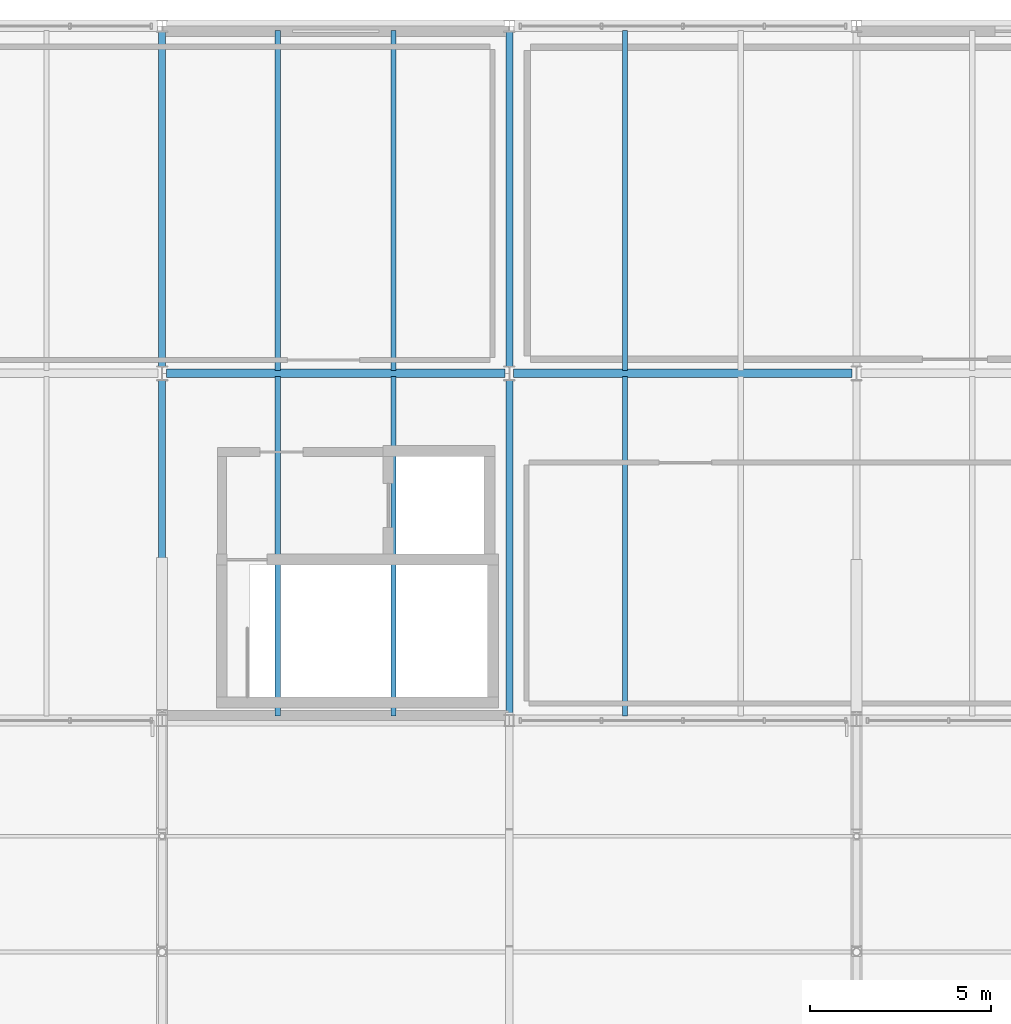
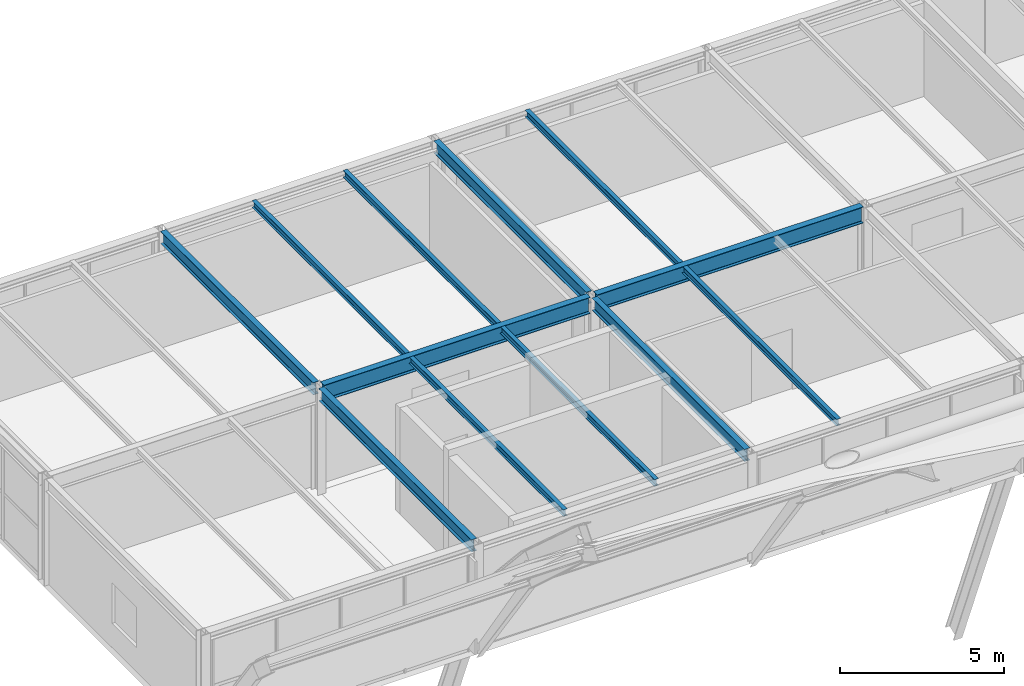
# One storey, part 73 of 126: 12 beams.
"""IFC4 building model written with IfcOpenShell, lengths in metres."""

from ifc_helpers import new_model, si_unit, direction, frame, origin, origin_2d, place, context, subcontext, project, spatial, i_section, extrude, material, material_profile, profile_set, type_object, element, save


model = new_model("IFC4")

# Units and contexts
model_context = context("Model", 3, precision=1e-05, world=origin(), true_north=direction((0.0, 1.0)))
body_context = subcontext(model_context, "Body", "Model", "MODEL_VIEW")
ifc_project = project(units=[si_unit("LENGTHUNIT", "METRE"), si_unit("AREAUNIT", "SQUARE_METRE"), si_unit("VOLUMEUNIT", "CUBIC_METRE"), si_unit("PLANEANGLEUNIT", "RADIAN"), si_unit("MASSUNIT", "GRAM", prefix="KILO")], contexts=[model_context])

# Site, building, storey
site_placement = place(None, origin())
site = spatial("IfcSite", under=ifc_project, at=site_placement, CompositionType="ELEMENT")
building_placement = place(site_placement, origin())
building = spatial("IfcBuilding", under=site, at=building_placement, Name="Coralgate Yard Interchange", CompositionType="ELEMENT")
storey_placement = place(building_placement, frame((0.0, 0.0, 10.5)))
storey = spatial("IfcBuildingStorey", under=building, at=storey_placement, Name="L02", CompositionType="ELEMENT", Elevation=10.5)

# Beams
ifc_material = material(Name="Structural steel S355J2", Category="steel")
ifc_material_profile_1 = material_profile(ifc_material, i_section(OverallWidth=0.1904296875, OverallDepth=0.45703125, WebThickness=0.009033203125, FlangeThickness=0.014404296875, FilletRadius=0.01025390625, at=origin_2d()), Name="UB 457x191x74")
ifc_profile_set_1 = profile_set([ifc_material_profile_1], Name="Structural steel S355J2")
beam_type_1 = type_object("IfcBeamType", Name="BM-SB-2", PredefinedType="BEAM", material=ifc_profile_set_1)
for number, where, z_axis, x_axis, name in (
    (1, (48.0, 76.93994140625, 3.721435546875), (0.0, 1.0, 0.0), (-1.0, 0.0, 0.0), "L02 primary grid girder X5 Y8-9"),
    (2, (48.0, 86.570068359375, 3.721435546875), (0.0, 1.0, 0.0), (-1.0, 0.0, 0.0), "L02 primary grid girder X5 Y9-10"),
    (3, (57.60009765625, 76.93994140625, 3.721435546875), (0.0, 1.0, 0.0), (-1.0, 0.0, 0.0), "L02 primary grid girder X6 Y8-9"),
    (4, (57.60009765625, 86.570068359375, 3.721435546875), (0.0, 1.0, 0.0), (-1.0, 0.0, 0.0), "L02 primary grid girder X6 Y9-10"),
):
    element("IfcBeam", number, at=place(storey_placement, frame(where, z_axis=z_axis, x_axis=x_axis)), inside=storey, type_object=beam_type_1, Name=name, PredefinedType="BEAM", context=body_context, shape_type="SweptSolid", body=[
        extrude(i_section(OverallWidth=0.1904296875, OverallDepth=0.45703125, WebThickness=0.009033203125, FlangeThickness=0.014404296875, FilletRadius=0.01025390625, at=origin_2d()), origin(), (0.0, 0.0, 1.0), 9.2900390625),
    ])
ifc_material_profile_2 = material_profile(ifc_material, i_section(OverallWidth=0.228271484375, OverallDepth=0.607666015625, WebThickness=0.010986328125, FlangeThickness=0.017333984375, FilletRadius=0.0126953125, at=origin_2d()), Name="UB 610x229x113")
ifc_profile_set_2 = profile_set([ifc_material_profile_2], Name="Structural steel S355J2")
beam_type_2 = type_object("IfcBeamType", Name="BM-SG-5", PredefinedType="BEAM", material=ifc_profile_set_2)
beam_1_placement = place(storey_placement, frame((48.1201171875, 86.39990234375, 3.646240234375), z_axis=(1.0, 0.0, 0.0), x_axis=(0.0, 1.0, 0.0)))
element("IfcBeam", 5, at=beam_1_placement, inside=storey, type_object=beam_type_2, Name="L02 primary grid beam Y9 X5-6", PredefinedType="BEAM", context=body_context, shape_type="SweptSolid", body=[
    extrude(i_section(OverallWidth=0.228271484375, OverallDepth=0.607666015625, WebThickness=0.010986328125, FlangeThickness=0.017333984375, FilletRadius=0.0126953125, at=origin_2d()), origin(), (0.0, 0.0, 1.0), 9.35986328125),
])
beam_2_placement = place(storey_placement, frame((57.719970703125, 86.39990234375, 3.646240234375), z_axis=(1.0, 0.0, 0.0), x_axis=(0.0, 1.0, 0.0)))
element("IfcBeam", 6, at=beam_2_placement, inside=storey, type_object=beam_type_2, Name="L02 primary grid beam Y9 X6-7", PredefinedType="BEAM", context=body_context, shape_type="SweptSolid", body=[
    extrude(i_section(OverallWidth=0.228271484375, OverallDepth=0.607666015625, WebThickness=0.010986328125, FlangeThickness=0.017333984375, FilletRadius=0.0126953125, at=origin_2d()), origin(), (0.0, 0.0, 1.0), 9.360107421875),
])
ifc_material_profile_3 = material_profile(ifc_material, i_section(OverallWidth=0.14599609375, OverallDepth=0.25146484375, WebThickness=0.006103515625, FlangeThickness=0.008544921875, FilletRadius=0.007568359375, at=origin_2d()), Name="UB 254x146x31")
ifc_profile_set_3 = profile_set([ifc_material_profile_3], Name="Structural steel S355J2")
beam_type_3 = type_object("IfcBeamType", Name="BM-SJ-2", PredefinedType="JOIST", material=ifc_profile_set_3)
for number, where, z_axis, x_axis, name in (
    (7, (51.199951171875, 76.919921875, 3.82421875), (0.0, 1.0, 0.0), (-1.0, 0.0, 0.0), "L02 composite floor joist 5-8-1"),
    (8, (54.39990234375, 76.919921875, 3.82421875), (0.0, 1.0, 0.0), (-1.0, 0.0, 0.0), "L02 composite floor joist 5-8-2"),
):
    element("IfcBeam", number, at=place(storey_placement, frame(where, z_axis=z_axis, x_axis=x_axis)), inside=storey, type_object=beam_type_3, Name=name, PredefinedType="JOIST", context=body_context, shape_type="SweptSolid", body=[
        extrude(i_section(OverallWidth=0.14599609375, OverallDepth=0.25146484375, WebThickness=0.006103515625, FlangeThickness=0.008544921875, FilletRadius=0.007568359375, at=origin_2d()), origin(), (0.0, 0.0, 1.0), 9.39599609375),
    ])
for number, where, z_axis, x_axis, name in (
    (9, (51.199951171875, 86.484130859375, 3.82421875), (0.0, 1.0, 0.0), (-1.0, 0.0, 0.0), "L02 composite floor joist 5-9-1"),
    (10, (54.39990234375, 86.484130859375, 3.82421875), (0.0, 1.0, 0.0), (-1.0, 0.0, 0.0), "L02 composite floor joist 5-9-2"),
):
    element("IfcBeam", number, at=place(storey_placement, frame(where, z_axis=z_axis, x_axis=x_axis)), inside=storey, type_object=beam_type_3, Name=name, PredefinedType="JOIST", context=body_context, shape_type="SweptSolid", body=[
        extrude(i_section(OverallWidth=0.14599609375, OverallDepth=0.25146484375, WebThickness=0.006103515625, FlangeThickness=0.008544921875, FilletRadius=0.007568359375, at=origin_2d()), origin(), (0.0, 0.0, 1.0), 9.395751953125),
    ])
beam_3_placement = place(storey_placement, frame((60.800048828125, 76.919921875, 3.82421875), z_axis=(0.0, 1.0, 0.0), x_axis=(-1.0, 0.0, 0.0)))
element("IfcBeam", 11, at=beam_3_placement, inside=storey, type_object=beam_type_3, Name="L02 composite floor joist 6-8-1", PredefinedType="JOIST", context=body_context, shape_type="SweptSolid", body=[
    extrude(i_section(OverallWidth=0.14599609375, OverallDepth=0.25146484375, WebThickness=0.006103515625, FlangeThickness=0.008544921875, FilletRadius=0.007568359375, at=origin_2d()), origin(), (0.0, 0.0, 1.0), 9.39599609375),
])
beam_4_placement = place(storey_placement, frame((60.800048828125, 86.484130859375, 3.82421875), z_axis=(0.0, 1.0, 0.0), x_axis=(-1.0, 0.0, 0.0)))
element("IfcBeam", 12, at=beam_4_placement, inside=storey, type_object=beam_type_3, Name="L02 composite floor joist 6-9-1", PredefinedType="JOIST", context=body_context, shape_type="SweptSolid", body=[
    extrude(i_section(OverallWidth=0.14599609375, OverallDepth=0.25146484375, WebThickness=0.006103515625, FlangeThickness=0.008544921875, FilletRadius=0.007568359375, at=origin_2d()), origin(), (0.0, 0.0, 1.0), 9.395751953125),
])

save(model, "model.ifc")
